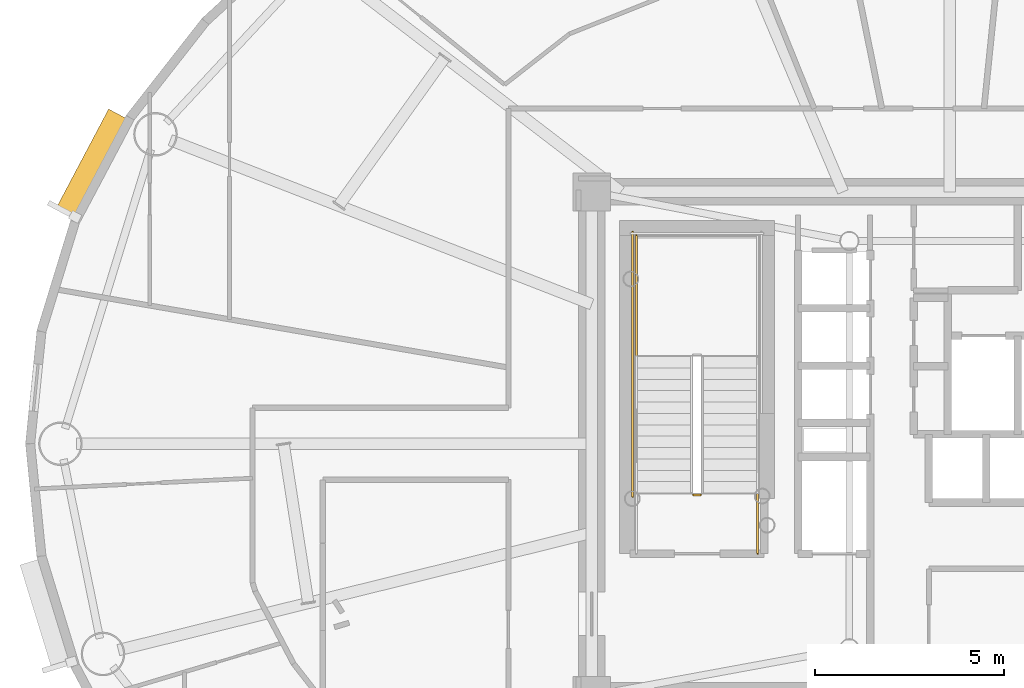
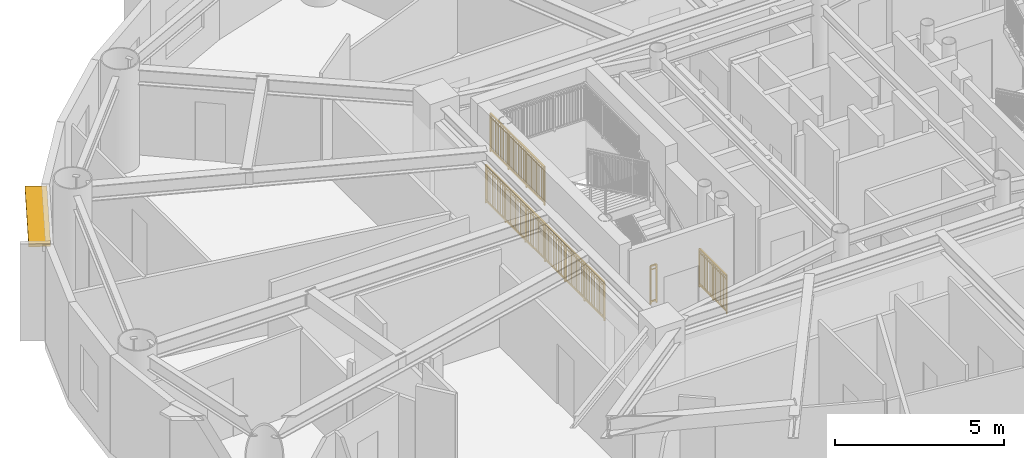
# One storey, part 16 of 21: 4 railings, 1 shading device.
"""IFC4 building model written with IfcOpenShell, lengths in metres."""

from ifc_helpers import new_model, si_unit, direction, frame, origin, origin_2d, place, context, subcontext, project, spatial, rectangle, extrude, source, transform, mapped, material, layer, layer_set, type_object, element, save


model = new_model("IFC4")

# Units and contexts
model_context = context("Model", 3, precision=1e-05, world=origin(), true_north=direction((0.0, 1.0)))
body_context = subcontext(model_context, "Body", "Model", "MODEL_VIEW")
ifc_project = project(units=[si_unit("LENGTHUNIT", "METRE"), si_unit("AREAUNIT", "SQUARE_METRE"), si_unit("VOLUMEUNIT", "CUBIC_METRE"), si_unit("PLANEANGLEUNIT", "RADIAN"), si_unit("MASSUNIT", "GRAM", prefix="KILO")], contexts=[model_context])

# Site, building, storey
site_placement = place(None, origin())
site = spatial("IfcSite", under=ifc_project, at=site_placement, CompositionType="ELEMENT")
building_placement = place(site_placement, origin())
building = spatial("IfcBuilding", under=site, at=building_placement, Name="Linh Dai School and Residence Tower", CompositionType="ELEMENT")
storey_placement = place(building_placement, frame((0.0, 0.0, 229.050048828125)))
storey = spatial("IfcBuildingStorey", under=building, at=storey_placement, Name="L56", CompositionType="ELEMENT", Elevation=229.050048828125)

# Shading device
ifc_material_1 = material(Name="Terracotta Ceramic Sunshade", Category="masonry")
ifc_layer = layer(ifc_material_1, 0.10009765625)
ifc_layer_set = layer_set([ifc_layer], Name="Terracotta Ceramic Sunshade")
shading_device_type = type_object("IfcShadingDeviceType", Name="SHD-TC-650", PredefinedType="USERDEFINED", material=ifc_layer_set)
shared_shape_1 = source(origin(), body_context, "Body", "SweptSolid", [
    extrude(rectangle(XDim=2.986083984375, YDim=0.64990234375, at=origin_2d()), origin(), (0.0, 0.0, 1.0), 0.10009765625),
])
shading_device_placement = place(storey_placement, frame((13.385009765625, 34.36376953125, 3.3798828125), z_axis=(0.0, 0.0, 1.0), x_axis=(0.467621224891, 0.883928950783, 0.0)))
element("IfcShadingDevice", 1, at=shading_device_placement, inside=storey, type_object=shading_device_type, Name="L56 Terracotta Horizontal Sunshade Band 18", ObjectType="SUNSHADE", PredefinedType="USERDEFINED", context=body_context, shape_type="MappedRepresentation", body=[
    mapped(shared_shape_1, transform((0.0, 0.0, 0.0), x_axis=(1.0, 0.0, 0.0), y_axis=(0.0, 1.0, 0.0), z_axis=(0.0, 0.0, 1.0), scale=1.0)),
])

# Railings
ifc_material_2 = material(Name="Structural Steel S355JR", Category="steel")
railing_type = type_object("IfcRailingType", Name="RL-ST-GUARD-1400", PredefinedType="GUARDRAIL", material=ifc_material_2)
shared_shape_2 = source(origin(), body_context, "Body", "SweptSolid", [
    extrude(rectangle(XDim=0.048095703125, YDim=0.048095703125, at=origin_2d()), frame((0.0, 0.0, 1.3759765625), z_axis=(-1.0, 0.0, 0.0), x_axis=(0.0, -1.0, 0.0)), (0.0, 0.0, 1.0), 0.199951171875),
    extrude(rectangle(XDim=0.048095703125, YDim=0.048095703125, at=origin_2d()), frame((0.0, 0.0, 0.10009765625), z_axis=(-1.0, 0.0, 0.0), x_axis=(0.0, -1.0, 0.0)), (0.0, 0.0, 1.0), 0.199951171875),
    extrude(rectangle(XDim=0.030029296875, YDim=0.030029296875, at=origin_2d()), frame((0.0, 0.0, 1.239990234375), z_axis=(-1.0, 0.0, 0.0), x_axis=(0.0, -1.0, 0.0)), (0.0, 0.0, 1.0), 0.199951171875),
    extrude(rectangle(XDim=0.0419921875, YDim=0.0419921875, at=origin_2d()), origin(), (0.0, 0.0, 1.0), 1.3759765625),
    extrude(rectangle(XDim=0.0419921875, YDim=0.0419921875, at=origin_2d()), frame((-0.199951171875, 0.0, 0.0)), (0.0, 0.0, 1.0), 1.3759765625),
])
railing_1_placement = place(storey_placement, frame((29.429931640625, 25.64990234375, 0.0)))
element("IfcRailing", 2, at=railing_1_placement, inside=storey, type_object=railing_type, Name="L56 ST1 stair guard 7", PredefinedType="GUARDRAIL", context=body_context, shape_type="MappedRepresentation", body=[
    mapped(shared_shape_2, transform((0.0, 0.0, 0.0), x_axis=(1.0, 0.0, 0.0), y_axis=(0.0, 1.0, 0.0), z_axis=(0.0, 0.0, 1.0), scale=1.0)),
])
shared_shape_3 = source(origin(), body_context, "Body", "SweptSolid", [
    extrude(rectangle(XDim=0.048095703125, YDim=0.048095703125, at=origin_2d()), frame((0.0, 0.0, 1.3759765625), z_axis=(0.0, 1.0, 0.0), x_axis=(-1.0, 0.0, 0.0)), (0.0, 0.0, 1.0), 1.599853515625),
    extrude(rectangle(XDim=0.048095703125, YDim=0.048095703125, at=origin_2d()), frame((0.0, 0.0, 0.10009765625), z_axis=(0.0, 1.0, 0.0), x_axis=(-1.0, 0.0, 0.0)), (0.0, 0.0, 1.0), 1.599853515625),
    extrude(rectangle(XDim=0.030029296875, YDim=0.030029296875, at=origin_2d()), frame((0.0, 0.0, 1.239990234375), z_axis=(0.0, 1.0, 0.0), x_axis=(-1.0, 0.0, 0.0)), (0.0, 0.0, 1.0), 1.599853515625),
    extrude(rectangle(XDim=0.02001953125, YDim=0.02001953125, at=origin_2d()), frame((0.0, 0.093994140625, 0.10009765625)), (0.0, 0.0, 1.0), 1.251708984375),
    extrude(rectangle(XDim=0.02001953125, YDim=0.02001953125, at=origin_2d()), frame((0.0, 0.188232421875, 0.10009765625)), (0.0, 0.0, 1.0), 1.251708984375),
    extrude(rectangle(XDim=0.02001953125, YDim=0.02001953125, at=origin_2d()), frame((0.0, 0.2822265625, 0.10009765625)), (0.0, 0.0, 1.0), 1.251708984375),
    extrude(rectangle(XDim=0.02001953125, YDim=0.02001953125, at=origin_2d()), frame((0.0, 0.37646484375, 0.10009765625)), (0.0, 0.0, 1.0), 1.251708984375),
    extrude(rectangle(XDim=0.02001953125, YDim=0.02001953125, at=origin_2d()), frame((0.0, 0.470458984375, 0.10009765625)), (0.0, 0.0, 1.0), 1.251708984375),
    extrude(rectangle(XDim=0.02001953125, YDim=0.02001953125, at=origin_2d()), frame((0.0, 0.564697265625, 0.10009765625)), (0.0, 0.0, 1.0), 1.251708984375),
    extrude(rectangle(XDim=0.02001953125, YDim=0.02001953125, at=origin_2d()), frame((0.0, 0.65869140625, 0.10009765625)), (0.0, 0.0, 1.0), 1.251708984375),
    extrude(rectangle(XDim=0.02001953125, YDim=0.02001953125, at=origin_2d()), frame((0.0, 0.7529296875, 0.10009765625)), (0.0, 0.0, 1.0), 1.251708984375),
    extrude(rectangle(XDim=0.02001953125, YDim=0.02001953125, at=origin_2d()), frame((0.0, 0.846923828125, 0.10009765625)), (0.0, 0.0, 1.0), 1.251708984375),
    extrude(rectangle(XDim=0.02001953125, YDim=0.02001953125, at=origin_2d()), frame((0.0, 0.941162109375, 0.10009765625)), (0.0, 0.0, 1.0), 1.251708984375),
    extrude(rectangle(XDim=0.02001953125, YDim=0.02001953125, at=origin_2d()), frame((0.0, 1.03515625, 0.10009765625)), (0.0, 0.0, 1.0), 1.251708984375),
    extrude(rectangle(XDim=0.02001953125, YDim=0.02001953125, at=origin_2d()), frame((0.0, 1.12939453125, 0.10009765625)), (0.0, 0.0, 1.0), 1.251708984375),
    extrude(rectangle(XDim=0.02001953125, YDim=0.02001953125, at=origin_2d()), frame((0.0, 1.223388671875, 0.10009765625)), (0.0, 0.0, 1.0), 1.251708984375),
    extrude(rectangle(XDim=0.02001953125, YDim=0.02001953125, at=origin_2d()), frame((0.0, 1.317626953125, 0.10009765625)), (0.0, 0.0, 1.0), 1.251708984375),
    extrude(rectangle(XDim=0.02001953125, YDim=0.02001953125, at=origin_2d()), frame((0.0, 1.41162109375, 0.10009765625)), (0.0, 0.0, 1.0), 1.251708984375),
    extrude(rectangle(XDim=0.02001953125, YDim=0.02001953125, at=origin_2d()), frame((0.0, 1.505859375, 0.10009765625)), (0.0, 0.0, 1.0), 1.251708984375),
    extrude(rectangle(XDim=0.0419921875, YDim=0.0419921875, at=origin_2d()), origin(), (0.0, 0.0, 1.0), 1.3759765625),
    extrude(rectangle(XDim=0.0419921875, YDim=0.0419921875, at=origin_2d()), frame((0.0, 0.7998046875, 0.0)), (0.0, 0.0, 1.0), 1.3759765625),
    extrude(rectangle(XDim=0.0419921875, YDim=0.0419921875, at=origin_2d()), frame((0.0, 1.599853515625, 0.0)), (0.0, 0.0, 1.0), 1.3759765625),
])
railing_2_placement = place(storey_placement, frame((30.929931640625, 24.10009765625, 0.0)))
element("IfcRailing", 3, at=railing_2_placement, inside=storey, type_object=railing_type, Name="L56 ST1 stair guard 8", PredefinedType="GUARDRAIL", context=body_context, shape_type="MappedRepresentation", body=[
    mapped(shared_shape_3, transform((0.0, 0.0, 0.0), x_axis=(1.0, 0.0, 0.0), y_axis=(0.0, 1.0, 0.0), z_axis=(0.0, 0.0, 1.0), scale=1.0)),
])
shared_shape_4 = source(origin(), body_context, "Body", "SweptSolid", [
    extrude(rectangle(XDim=0.048095703125, YDim=0.048095703125, at=origin_2d()), frame((0.0, 0.0, 1.3759765625), z_axis=(0.0, 1.0, 0.0), x_axis=(-1.0, 0.0, 0.0)), (0.0, 0.0, 1.0), 7.0),
    extrude(rectangle(XDim=0.048095703125, YDim=0.048095703125, at=origin_2d()), frame((0.0, 0.0, 0.10009765625), z_axis=(0.0, 1.0, 0.0), x_axis=(-1.0, 0.0, 0.0)), (0.0, 0.0, 1.0), 7.0),
    extrude(rectangle(XDim=0.030029296875, YDim=0.030029296875, at=origin_2d()), frame((0.0, 0.0, 1.239990234375), z_axis=(0.0, 1.0, 0.0), x_axis=(-1.0, 0.0, 0.0)), (0.0, 0.0, 1.0), 7.0),
    extrude(rectangle(XDim=0.02001953125, YDim=0.02001953125, at=origin_2d()), frame((0.0, 0.09716796875, 0.10009765625)), (0.0, 0.0, 1.0), 1.251708984375),
    extrude(rectangle(XDim=0.02001953125, YDim=0.02001953125, at=origin_2d()), frame((0.0, 0.1943359375, 0.10009765625)), (0.0, 0.0, 1.0), 1.251708984375),
    extrude(rectangle(XDim=0.02001953125, YDim=0.02001953125, at=origin_2d()), frame((0.0, 0.291748046875, 0.10009765625)), (0.0, 0.0, 1.0), 1.251708984375),
    extrude(rectangle(XDim=0.02001953125, YDim=0.02001953125, at=origin_2d()), frame((0.0, 0.388916015625, 0.10009765625)), (0.0, 0.0, 1.0), 1.251708984375),
    extrude(rectangle(XDim=0.02001953125, YDim=0.02001953125, at=origin_2d()), frame((0.0, 0.486083984375, 0.10009765625)), (0.0, 0.0, 1.0), 1.251708984375),
    extrude(rectangle(XDim=0.02001953125, YDim=0.02001953125, at=origin_2d()), frame((0.0, 0.583251953125, 0.10009765625)), (0.0, 0.0, 1.0), 1.251708984375),
    extrude(rectangle(XDim=0.02001953125, YDim=0.02001953125, at=origin_2d()), frame((0.0, 0.6806640625, 0.10009765625)), (0.0, 0.0, 1.0), 1.251708984375),
    extrude(rectangle(XDim=0.02001953125, YDim=0.02001953125, at=origin_2d()), frame((0.0, 0.77783203125, 0.10009765625)), (0.0, 0.0, 1.0), 1.251708984375),
    extrude(rectangle(XDim=0.02001953125, YDim=0.02001953125, at=origin_2d()), frame((0.0, 0.875, 0.10009765625)), (0.0, 0.0, 1.0), 1.251708984375),
    extrude(rectangle(XDim=0.02001953125, YDim=0.02001953125, at=origin_2d()), frame((0.0, 0.97216796875, 0.10009765625)), (0.0, 0.0, 1.0), 1.251708984375),
    extrude(rectangle(XDim=0.02001953125, YDim=0.02001953125, at=origin_2d()), frame((0.0, 1.0693359375, 0.10009765625)), (0.0, 0.0, 1.0), 1.251708984375),
    extrude(rectangle(XDim=0.02001953125, YDim=0.02001953125, at=origin_2d()), frame((0.0, 1.263916015625, 0.10009765625)), (0.0, 0.0, 1.0), 1.251708984375),
    extrude(rectangle(XDim=0.02001953125, YDim=0.02001953125, at=origin_2d()), frame((0.0, 1.361083984375, 0.10009765625)), (0.0, 0.0, 1.0), 1.251708984375),
    extrude(rectangle(XDim=0.02001953125, YDim=0.02001953125, at=origin_2d()), frame((0.0, 1.458251953125, 0.10009765625)), (0.0, 0.0, 1.0), 1.251708984375),
    extrude(rectangle(XDim=0.02001953125, YDim=0.02001953125, at=origin_2d()), frame((0.0, 1.5556640625, 0.10009765625)), (0.0, 0.0, 1.0), 1.251708984375),
    extrude(rectangle(XDim=0.02001953125, YDim=0.02001953125, at=origin_2d()), frame((0.0, 1.65283203125, 0.10009765625)), (0.0, 0.0, 1.0), 1.251708984375),
    extrude(rectangle(XDim=0.02001953125, YDim=0.02001953125, at=origin_2d()), frame((0.0, 1.75, 0.10009765625)), (0.0, 0.0, 1.0), 1.251708984375),
    extrude(rectangle(XDim=0.02001953125, YDim=0.02001953125, at=origin_2d()), frame((0.0, 1.84716796875, 0.10009765625)), (0.0, 0.0, 1.0), 1.251708984375),
    extrude(rectangle(XDim=0.02001953125, YDim=0.02001953125, at=origin_2d()), frame((0.0, 1.9443359375, 0.10009765625)), (0.0, 0.0, 1.0), 1.251708984375),
    extrude(rectangle(XDim=0.02001953125, YDim=0.02001953125, at=origin_2d()), frame((0.0, 2.041748046875, 0.10009765625)), (0.0, 0.0, 1.0), 1.251708984375),
    extrude(rectangle(XDim=0.02001953125, YDim=0.02001953125, at=origin_2d()), frame((0.0, 2.138916015625, 0.10009765625)), (0.0, 0.0, 1.0), 1.251708984375),
    extrude(rectangle(XDim=0.02001953125, YDim=0.02001953125, at=origin_2d()), frame((0.0, 2.236083984375, 0.10009765625)), (0.0, 0.0, 1.0), 1.251708984375),
    extrude(rectangle(XDim=0.02001953125, YDim=0.02001953125, at=origin_2d()), frame((0.0, 2.4306640625, 0.10009765625)), (0.0, 0.0, 1.0), 1.251708984375),
    extrude(rectangle(XDim=0.02001953125, YDim=0.02001953125, at=origin_2d()), frame((0.0, 2.52783203125, 0.10009765625)), (0.0, 0.0, 1.0), 1.251708984375),
    extrude(rectangle(XDim=0.02001953125, YDim=0.02001953125, at=origin_2d()), frame((0.0, 2.625, 0.10009765625)), (0.0, 0.0, 1.0), 1.251708984375),
    extrude(rectangle(XDim=0.02001953125, YDim=0.02001953125, at=origin_2d()), frame((0.0, 2.72216796875, 0.10009765625)), (0.0, 0.0, 1.0), 1.251708984375),
    extrude(rectangle(XDim=0.02001953125, YDim=0.02001953125, at=origin_2d()), frame((0.0, 2.8193359375, 0.10009765625)), (0.0, 0.0, 1.0), 1.251708984375),
    extrude(rectangle(XDim=0.02001953125, YDim=0.02001953125, at=origin_2d()), frame((0.0, 2.916748046875, 0.10009765625)), (0.0, 0.0, 1.0), 1.251708984375),
    extrude(rectangle(XDim=0.02001953125, YDim=0.02001953125, at=origin_2d()), frame((0.0, 3.013916015625, 0.10009765625)), (0.0, 0.0, 1.0), 1.251708984375),
    extrude(rectangle(XDim=0.02001953125, YDim=0.02001953125, at=origin_2d()), frame((0.0, 3.111083984375, 0.10009765625)), (0.0, 0.0, 1.0), 1.251708984375),
    extrude(rectangle(XDim=0.02001953125, YDim=0.02001953125, at=origin_2d()), frame((0.0, 3.208251953125, 0.10009765625)), (0.0, 0.0, 1.0), 1.251708984375),
    extrude(rectangle(XDim=0.02001953125, YDim=0.02001953125, at=origin_2d()), frame((0.0, 3.3056640625, 0.10009765625)), (0.0, 0.0, 1.0), 1.251708984375),
    extrude(rectangle(XDim=0.02001953125, YDim=0.02001953125, at=origin_2d()), frame((0.0, 3.40283203125, 0.10009765625)), (0.0, 0.0, 1.0), 1.251708984375),
    extrude(rectangle(XDim=0.02001953125, YDim=0.02001953125, at=origin_2d()), frame((0.0, 3.59716796875, 0.10009765625)), (0.0, 0.0, 1.0), 1.251708984375),
    extrude(rectangle(XDim=0.02001953125, YDim=0.02001953125, at=origin_2d()), frame((0.0, 3.6943359375, 0.10009765625)), (0.0, 0.0, 1.0), 1.251708984375),
    extrude(rectangle(XDim=0.02001953125, YDim=0.02001953125, at=origin_2d()), frame((0.0, 3.791748046875, 0.10009765625)), (0.0, 0.0, 1.0), 1.251708984375),
    extrude(rectangle(XDim=0.02001953125, YDim=0.02001953125, at=origin_2d()), frame((0.0, 3.888916015625, 0.10009765625)), (0.0, 0.0, 1.0), 1.251708984375),
    extrude(rectangle(XDim=0.02001953125, YDim=0.02001953125, at=origin_2d()), frame((0.0, 3.986083984375, 0.10009765625)), (0.0, 0.0, 1.0), 1.251708984375),
    extrude(rectangle(XDim=0.02001953125, YDim=0.02001953125, at=origin_2d()), frame((0.0, 4.083251953125, 0.10009765625)), (0.0, 0.0, 1.0), 1.251708984375),
    extrude(rectangle(XDim=0.02001953125, YDim=0.02001953125, at=origin_2d()), frame((0.0, 4.1806640625, 0.10009765625)), (0.0, 0.0, 1.0), 1.251708984375),
    extrude(rectangle(XDim=0.02001953125, YDim=0.02001953125, at=origin_2d()), frame((0.0, 4.27783203125, 0.10009765625)), (0.0, 0.0, 1.0), 1.251708984375),
    extrude(rectangle(XDim=0.02001953125, YDim=0.02001953125, at=origin_2d()), frame((0.0, 4.375, 0.10009765625)), (0.0, 0.0, 1.0), 1.251708984375),
    extrude(rectangle(XDim=0.02001953125, YDim=0.02001953125, at=origin_2d()), frame((0.0, 4.47216796875, 0.10009765625)), (0.0, 0.0, 1.0), 1.251708984375),
    extrude(rectangle(XDim=0.02001953125, YDim=0.02001953125, at=origin_2d()), frame((0.0, 4.5693359375, 0.10009765625)), (0.0, 0.0, 1.0), 1.251708984375),
    extrude(rectangle(XDim=0.02001953125, YDim=0.02001953125, at=origin_2d()), frame((0.0, 4.763916015625, 0.10009765625)), (0.0, 0.0, 1.0), 1.251708984375),
    extrude(rectangle(XDim=0.02001953125, YDim=0.02001953125, at=origin_2d()), frame((0.0, 4.861083984375, 0.10009765625)), (0.0, 0.0, 1.0), 1.251708984375),
    extrude(rectangle(XDim=0.02001953125, YDim=0.02001953125, at=origin_2d()), frame((0.0, 4.958251953125, 0.10009765625)), (0.0, 0.0, 1.0), 1.251708984375),
    extrude(rectangle(XDim=0.02001953125, YDim=0.02001953125, at=origin_2d()), frame((0.0, 5.0556640625, 0.10009765625)), (0.0, 0.0, 1.0), 1.251708984375),
    extrude(rectangle(XDim=0.02001953125, YDim=0.02001953125, at=origin_2d()), frame((0.0, 5.15283203125, 0.10009765625)), (0.0, 0.0, 1.0), 1.251708984375),
    extrude(rectangle(XDim=0.02001953125, YDim=0.02001953125, at=origin_2d()), frame((0.0, 5.25, 0.10009765625)), (0.0, 0.0, 1.0), 1.251708984375),
    extrude(rectangle(XDim=0.02001953125, YDim=0.02001953125, at=origin_2d()), frame((0.0, 5.34716796875, 0.10009765625)), (0.0, 0.0, 1.0), 1.251708984375),
    extrude(rectangle(XDim=0.02001953125, YDim=0.02001953125, at=origin_2d()), frame((0.0, 5.4443359375, 0.10009765625)), (0.0, 0.0, 1.0), 1.251708984375),
    extrude(rectangle(XDim=0.02001953125, YDim=0.02001953125, at=origin_2d()), frame((0.0, 5.541748046875, 0.10009765625)), (0.0, 0.0, 1.0), 1.251708984375),
    extrude(rectangle(XDim=0.02001953125, YDim=0.02001953125, at=origin_2d()), frame((0.0, 5.638916015625, 0.10009765625)), (0.0, 0.0, 1.0), 1.251708984375),
    extrude(rectangle(XDim=0.02001953125, YDim=0.02001953125, at=origin_2d()), frame((0.0, 5.736083984375, 0.10009765625)), (0.0, 0.0, 1.0), 1.251708984375),
    extrude(rectangle(XDim=0.02001953125, YDim=0.02001953125, at=origin_2d()), frame((0.0, 5.9306640625, 0.10009765625)), (0.0, 0.0, 1.0), 1.251708984375),
    extrude(rectangle(XDim=0.02001953125, YDim=0.02001953125, at=origin_2d()), frame((0.0, 6.02783203125, 0.10009765625)), (0.0, 0.0, 1.0), 1.251708984375),
    extrude(rectangle(XDim=0.02001953125, YDim=0.02001953125, at=origin_2d()), frame((0.0, 6.125, 0.10009765625)), (0.0, 0.0, 1.0), 1.251708984375),
    extrude(rectangle(XDim=0.02001953125, YDim=0.02001953125, at=origin_2d()), frame((0.0, 6.22216796875, 0.10009765625)), (0.0, 0.0, 1.0), 1.251708984375),
    extrude(rectangle(XDim=0.02001953125, YDim=0.02001953125, at=origin_2d()), frame((0.0, 6.3193359375, 0.10009765625)), (0.0, 0.0, 1.0), 1.251708984375),
    extrude(rectangle(XDim=0.02001953125, YDim=0.02001953125, at=origin_2d()), frame((0.0, 6.416748046875, 0.10009765625)), (0.0, 0.0, 1.0), 1.251708984375),
    extrude(rectangle(XDim=0.02001953125, YDim=0.02001953125, at=origin_2d()), frame((0.0, 6.513916015625, 0.10009765625)), (0.0, 0.0, 1.0), 1.251708984375),
    extrude(rectangle(XDim=0.02001953125, YDim=0.02001953125, at=origin_2d()), frame((0.0, 6.611083984375, 0.10009765625)), (0.0, 0.0, 1.0), 1.251708984375),
    extrude(rectangle(XDim=0.02001953125, YDim=0.02001953125, at=origin_2d()), frame((0.0, 6.708251953125, 0.10009765625)), (0.0, 0.0, 1.0), 1.251708984375),
    extrude(rectangle(XDim=0.02001953125, YDim=0.02001953125, at=origin_2d()), frame((0.0, 6.8056640625, 0.10009765625)), (0.0, 0.0, 1.0), 1.251708984375),
    extrude(rectangle(XDim=0.02001953125, YDim=0.02001953125, at=origin_2d()), frame((0.0, 6.90283203125, 0.10009765625)), (0.0, 0.0, 1.0), 1.251708984375),
    extrude(rectangle(XDim=0.0419921875, YDim=0.0419921875, at=origin_2d()), origin(), (0.0, 0.0, 1.0), 1.3759765625),
    extrude(rectangle(XDim=0.0419921875, YDim=0.0419921875, at=origin_2d()), frame((0.0, 1.166748046875, 0.0)), (0.0, 0.0, 1.0), 1.3759765625),
    extrude(rectangle(XDim=0.0419921875, YDim=0.0419921875, at=origin_2d()), frame((0.0, 2.333251953125, 0.0)), (0.0, 0.0, 1.0), 1.3759765625),
    extrude(rectangle(XDim=0.0419921875, YDim=0.0419921875, at=origin_2d()), frame((0.0, 3.5, 0.0)), (0.0, 0.0, 1.0), 1.3759765625),
    extrude(rectangle(XDim=0.0419921875, YDim=0.0419921875, at=origin_2d()), frame((0.0, 4.666748046875, 0.0)), (0.0, 0.0, 1.0), 1.3759765625),
    extrude(rectangle(XDim=0.0419921875, YDim=0.0419921875, at=origin_2d()), frame((0.0, 5.833251953125, 0.0)), (0.0, 0.0, 1.0), 1.3759765625),
    extrude(rectangle(XDim=0.0419921875, YDim=0.0419921875, at=origin_2d()), frame((0.0, 7.0, 0.0)), (0.0, 0.0, 1.0), 1.3759765625),
])
railing_3_placement = place(storey_placement, frame((27.6298828125, 25.60009765625, 0.0)))
element("IfcRailing", 4, at=railing_3_placement, inside=storey, type_object=railing_type, Name="L56 ST1 stair guard 11", PredefinedType="GUARDRAIL", context=body_context, shape_type="MappedRepresentation", body=[
    mapped(shared_shape_4, transform((0.0, 0.0, 0.0), x_axis=(1.0, 0.0, 0.0), y_axis=(0.0, 1.0, 0.0), z_axis=(0.0, 0.0, 1.0), scale=1.0)),
])
shared_shape_5 = source(origin(), body_context, "Body", "SweptSolid", [
    extrude(rectangle(XDim=0.048095703125, YDim=0.048095703125, at=origin_2d()), frame((0.0, 0.0, 1.3759765625), z_axis=(0.0, 1.0, 0.0), x_axis=(-1.0, 0.0, 0.0)), (0.0, 0.0, 1.0), 3.199951171875),
    extrude(rectangle(XDim=0.048095703125, YDim=0.048095703125, at=origin_2d()), frame((0.0, 0.0, 0.10009765625), z_axis=(0.0, 1.0, 0.0), x_axis=(-1.0, 0.0, 0.0)), (0.0, 0.0, 1.0), 3.199951171875),
    extrude(rectangle(XDim=0.030029296875, YDim=0.030029296875, at=origin_2d()), frame((0.0, 0.0, 1.239990234375), z_axis=(0.0, 1.0, 0.0), x_axis=(-1.0, 0.0, 0.0)), (0.0, 0.0, 1.0), 3.199951171875),
    extrude(rectangle(XDim=0.02001953125, YDim=0.02001953125, at=origin_2d()), frame((0.0, 0.096923828125, 0.10009765625)), (0.0, 0.0, 1.0), 1.251708984375),
    extrude(rectangle(XDim=0.02001953125, YDim=0.02001953125, at=origin_2d()), frame((0.0, 0.19384765625, 0.10009765625)), (0.0, 0.0, 1.0), 1.251708984375),
    extrude(rectangle(XDim=0.02001953125, YDim=0.02001953125, at=origin_2d()), frame((0.0, 0.291015625, 0.10009765625)), (0.0, 0.0, 1.0), 1.251708984375),
    extrude(rectangle(XDim=0.02001953125, YDim=0.02001953125, at=origin_2d()), frame((0.0, 0.387939453125, 0.10009765625)), (0.0, 0.0, 1.0), 1.251708984375),
    extrude(rectangle(XDim=0.02001953125, YDim=0.02001953125, at=origin_2d()), frame((0.0, 0.48486328125, 0.10009765625)), (0.0, 0.0, 1.0), 1.251708984375),
    extrude(rectangle(XDim=0.02001953125, YDim=0.02001953125, at=origin_2d()), frame((0.0, 0.581787109375, 0.10009765625)), (0.0, 0.0, 1.0), 1.251708984375),
    extrude(rectangle(XDim=0.02001953125, YDim=0.02001953125, at=origin_2d()), frame((0.0, 0.6787109375, 0.10009765625)), (0.0, 0.0, 1.0), 1.251708984375),
    extrude(rectangle(XDim=0.02001953125, YDim=0.02001953125, at=origin_2d()), frame((0.0, 0.775634765625, 0.10009765625)), (0.0, 0.0, 1.0), 1.251708984375),
    extrude(rectangle(XDim=0.02001953125, YDim=0.02001953125, at=origin_2d()), frame((0.0, 0.872802734375, 0.10009765625)), (0.0, 0.0, 1.0), 1.251708984375),
    extrude(rectangle(XDim=0.02001953125, YDim=0.02001953125, at=origin_2d()), frame((0.0, 0.9697265625, 0.10009765625)), (0.0, 0.0, 1.0), 1.251708984375),
    extrude(rectangle(XDim=0.02001953125, YDim=0.02001953125, at=origin_2d()), frame((0.0, 1.16357421875, 0.10009765625)), (0.0, 0.0, 1.0), 1.251708984375),
    extrude(rectangle(XDim=0.02001953125, YDim=0.02001953125, at=origin_2d()), frame((0.0, 1.260498046875, 0.10009765625)), (0.0, 0.0, 1.0), 1.251708984375),
    extrude(rectangle(XDim=0.02001953125, YDim=0.02001953125, at=origin_2d()), frame((0.0, 1.357666015625, 0.10009765625)), (0.0, 0.0, 1.0), 1.251708984375),
    extrude(rectangle(XDim=0.02001953125, YDim=0.02001953125, at=origin_2d()), frame((0.0, 1.45458984375, 0.10009765625)), (0.0, 0.0, 1.0), 1.251708984375),
    extrude(rectangle(XDim=0.02001953125, YDim=0.02001953125, at=origin_2d()), frame((0.0, 1.551513671875, 0.10009765625)), (0.0, 0.0, 1.0), 1.251708984375),
    extrude(rectangle(XDim=0.02001953125, YDim=0.02001953125, at=origin_2d()), frame((0.0, 1.6484375, 0.10009765625)), (0.0, 0.0, 1.0), 1.251708984375),
    extrude(rectangle(XDim=0.02001953125, YDim=0.02001953125, at=origin_2d()), frame((0.0, 1.745361328125, 0.10009765625)), (0.0, 0.0, 1.0), 1.251708984375),
    extrude(rectangle(XDim=0.02001953125, YDim=0.02001953125, at=origin_2d()), frame((0.0, 1.84228515625, 0.10009765625)), (0.0, 0.0, 1.0), 1.251708984375),
    extrude(rectangle(XDim=0.02001953125, YDim=0.02001953125, at=origin_2d()), frame((0.0, 1.939453125, 0.10009765625)), (0.0, 0.0, 1.0), 1.251708984375),
    extrude(rectangle(XDim=0.02001953125, YDim=0.02001953125, at=origin_2d()), frame((0.0, 2.036376953125, 0.10009765625)), (0.0, 0.0, 1.0), 1.251708984375),
    extrude(rectangle(XDim=0.02001953125, YDim=0.02001953125, at=origin_2d()), frame((0.0, 2.230224609375, 0.10009765625)), (0.0, 0.0, 1.0), 1.251708984375),
    extrude(rectangle(XDim=0.02001953125, YDim=0.02001953125, at=origin_2d()), frame((0.0, 2.3271484375, 0.10009765625)), (0.0, 0.0, 1.0), 1.251708984375),
    extrude(rectangle(XDim=0.02001953125, YDim=0.02001953125, at=origin_2d()), frame((0.0, 2.42431640625, 0.10009765625)), (0.0, 0.0, 1.0), 1.251708984375),
    extrude(rectangle(XDim=0.02001953125, YDim=0.02001953125, at=origin_2d()), frame((0.0, 2.521240234375, 0.10009765625)), (0.0, 0.0, 1.0), 1.251708984375),
    extrude(rectangle(XDim=0.02001953125, YDim=0.02001953125, at=origin_2d()), frame((0.0, 2.6181640625, 0.10009765625)), (0.0, 0.0, 1.0), 1.251708984375),
    extrude(rectangle(XDim=0.02001953125, YDim=0.02001953125, at=origin_2d()), frame((0.0, 2.715087890625, 0.10009765625)), (0.0, 0.0, 1.0), 1.251708984375),
    extrude(rectangle(XDim=0.02001953125, YDim=0.02001953125, at=origin_2d()), frame((0.0, 2.81201171875, 0.10009765625)), (0.0, 0.0, 1.0), 1.251708984375),
    extrude(rectangle(XDim=0.02001953125, YDim=0.02001953125, at=origin_2d()), frame((0.0, 2.908935546875, 0.10009765625)), (0.0, 0.0, 1.0), 1.251708984375),
    extrude(rectangle(XDim=0.02001953125, YDim=0.02001953125, at=origin_2d()), frame((0.0, 3.006103515625, 0.10009765625)), (0.0, 0.0, 1.0), 1.251708984375),
    extrude(rectangle(XDim=0.02001953125, YDim=0.02001953125, at=origin_2d()), frame((0.0, 3.10302734375, 0.10009765625)), (0.0, 0.0, 1.0), 1.251708984375),
    extrude(rectangle(XDim=0.0419921875, YDim=0.0419921875, at=origin_2d()), origin(), (0.0, 0.0, 1.0), 1.3759765625),
    extrude(rectangle(XDim=0.0419921875, YDim=0.0419921875, at=origin_2d()), frame((0.0, 1.066650390625, 0.0)), (0.0, 0.0, 1.0), 1.3759765625),
    extrude(rectangle(XDim=0.0419921875, YDim=0.0419921875, at=origin_2d()), frame((0.0, 2.13330078125, 0.0)), (0.0, 0.0, 1.0), 1.3759765625),
    extrude(rectangle(XDim=0.0419921875, YDim=0.0419921875, at=origin_2d()), frame((0.0, 3.199951171875, 0.0)), (0.0, 0.0, 1.0), 1.3759765625),
])
railing_4_placement = place(storey_placement, frame((27.72998046875, 29.300048828125, 1.875)))
element("IfcRailing", 5, at=railing_4_placement, inside=storey, type_object=railing_type, Name="L56 ST1 stair guard 4", PredefinedType="GUARDRAIL", context=body_context, shape_type="MappedRepresentation", body=[
    mapped(shared_shape_5, transform((0.0, 0.0, 0.0), x_axis=(1.0, 0.0, 0.0), y_axis=(0.0, 1.0, 0.0), z_axis=(0.0, 0.0, 1.0), scale=1.0)),
])

save(model, "model.ifc")
